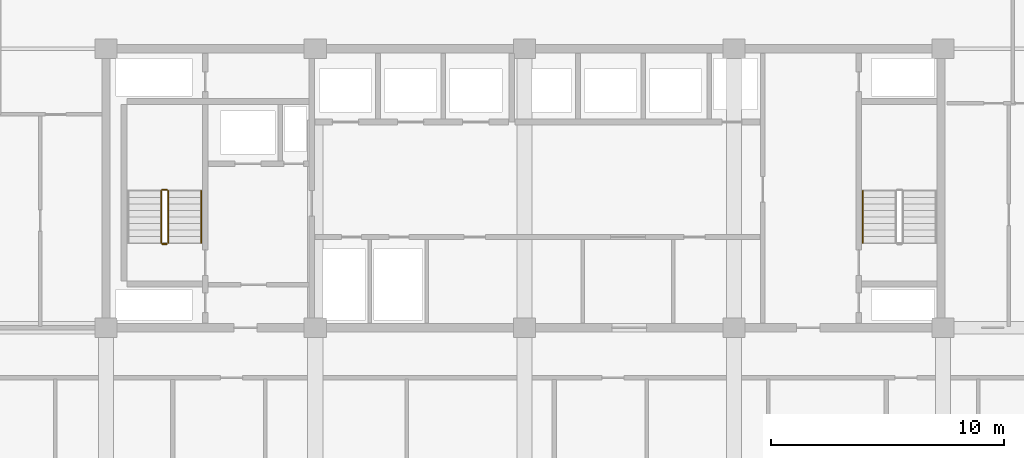
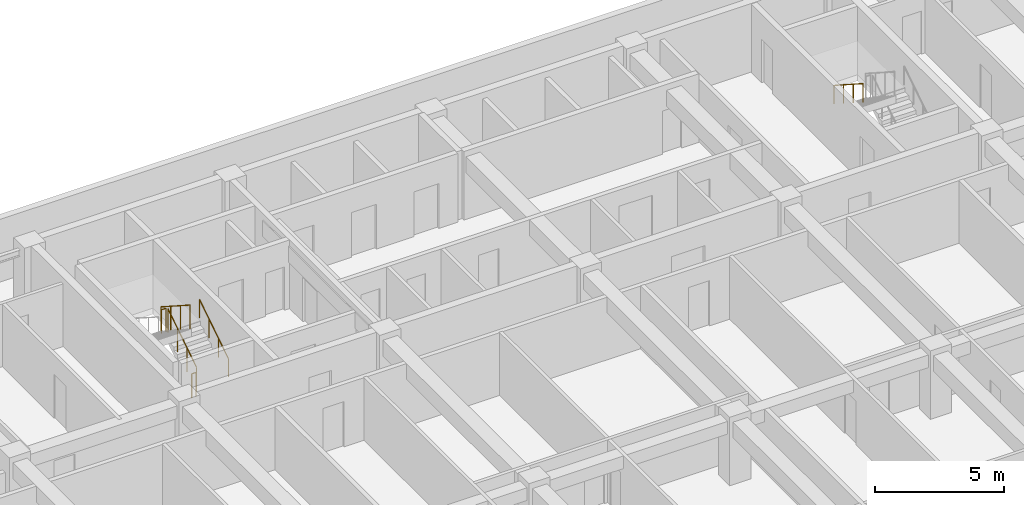
# One storey, part 20 of 23: 6 railings.
"""IFC4 building model written with IfcOpenShell, lengths in metres."""

from ifc_helpers import new_model, si_unit, direction, frame, origin, origin_2d, place, context, subcontext, project, spatial, circle, extrude, material, type_object, element, save


model = new_model("IFC4")

# Units and contexts
model_context = context("Model", 3, precision=1e-05, world=origin(), true_north=direction((0.0, 1.0)))
body_context = subcontext(model_context, "Body", "Model", "MODEL_VIEW")
ifc_project = project(units=[si_unit("LENGTHUNIT", "METRE"), si_unit("AREAUNIT", "SQUARE_METRE"), si_unit("VOLUMEUNIT", "CUBIC_METRE"), si_unit("PLANEANGLEUNIT", "RADIAN"), si_unit("MASSUNIT", "GRAM", prefix="KILO")], contexts=[model_context])

# Site, building, storey
site_placement = place(None, origin())
site = spatial("IfcSite", under=ifc_project, at=site_placement, CompositionType="ELEMENT")
building_placement = place(site_placement, origin())
building = spatial("IfcBuilding", under=site, at=building_placement, Name="Korimba Cascade Residences", CompositionType="ELEMENT")
storey_placement = place(building_placement, frame((0.0, 0.0, 33.75)))
storey = spatial("IfcBuildingStorey", under=building, at=storey_placement, Name="L08", CompositionType="ELEMENT", Elevation=33.75)

# Railings
ifc_material_1 = material(Name="Painted Steel Stairwell Guardrail", Category="steel")
railing_type_1 = type_object("IfcRailingType", Name="RLG-ST-GD1150", PredefinedType="GUARDRAIL", material=ifc_material_1)
railing_1_placement = place(storey_placement, frame((84.77001953125, 22.050048828125, 0.1806640625)))
element("IfcRailing", 1, at=railing_1_placement, inside=storey, type_object=railing_type_1, Name="L08 ST-E1 stair guard 1", PredefinedType="GUARDRAIL", context=body_context, shape_type="SweptSolid", body=[
    extrude(circle(Radius=0.02392578125, at=origin_2d()), frame((0.0, 0.0, 1.1259765625), z_axis=(0.0, 0.840436612492, 0.541909863706), x_axis=(-1.0, 0.0, 0.0)), (0.0, 0.0, 1.0), 2.665283203125),
    extrude(circle(Radius=0.02099609375, at=origin_2d()), origin(), (0.0, 0.0, 1.0), 1.101806640625),
    extrude(circle(Radius=0.02099609375, at=origin_2d()), frame((0.0, 0.74658203125, 0.4814453125)), (0.0, 0.0, 1.0), 1.101806640625),
    extrude(circle(Radius=0.02099609375, at=origin_2d()), frame((0.0, 1.493408203125, 0.962890625)), (0.0, 0.0, 1.0), 1.101806640625),
    extrude(circle(Radius=0.02099609375, at=origin_2d()), frame((0.0, 2.239990234375, 1.4443359375)), (0.0, 0.0, 1.0), 1.101806640625),
])
railing_2_placement = place(storey_placement, frame((84.719970703125, 24.340087890625, 1.625)))
element("IfcRailing", 2, at=railing_2_placement, inside=storey, type_object=railing_type_1, Name="L08 ST-E1 stair guard 2", PredefinedType="GUARDRAIL", context=body_context, shape_type="SweptSolid", body=[
    extrude(circle(Radius=0.02392578125, at=origin_2d()), frame((0.0, 0.0, 1.1259765625), z_axis=(-1.0, 0.0, 0.0), x_axis=(0.0, -1.0, 0.0)), (0.0, 0.0, 1.0), 0.199951171875),
    extrude(circle(Radius=0.02099609375, at=origin_2d()), origin(), (0.0, 0.0, 1.0), 1.101806640625),
    extrude(circle(Radius=0.02099609375, at=origin_2d()), frame((-0.199951171875, 0.0, 0.0)), (0.0, 0.0, 1.0), 1.101806640625),
])
railing_3_placement = place(storey_placement, frame((84.469970703125, 24.2900390625, 1.8056640625)))
element("IfcRailing", 3, at=railing_3_placement, inside=storey, type_object=railing_type_1, Name="L08 ST-E1 stair guard 3", PredefinedType="GUARDRAIL", context=body_context, shape_type="SweptSolid", body=[
    extrude(circle(Radius=0.02392578125, at=origin_2d()), frame((0.0, 0.0, 1.1259765625), z_axis=(0.0, -0.840436612492, 0.541909863706), x_axis=(1.0, 0.0, 0.0)), (0.0, 0.0, 1.0), 2.665283203125),
    extrude(circle(Radius=0.02099609375, at=origin_2d()), origin(), (0.0, 0.0, 1.0), 1.101806640625),
    extrude(circle(Radius=0.02099609375, at=origin_2d()), frame((0.0, -0.74658203125, 0.4814453125)), (0.0, 0.0, 1.0), 1.101806640625),
    extrude(circle(Radius=0.02099609375, at=origin_2d()), frame((0.0, -1.493408203125, 0.962890625)), (0.0, 0.0, 1.0), 1.101806640625),
    extrude(circle(Radius=0.02099609375, at=origin_2d()), frame((0.0, -2.239990234375, 1.4443359375)), (0.0, 0.0, 1.0), 1.101806640625),
])
railing_4_placement = place(storey_placement, frame((84.719970703125, 22.0, 0.0)))
element("IfcRailing", 4, at=railing_4_placement, inside=storey, type_object=railing_type_1, Name="L08 ST-E1 stair guard 4", PredefinedType="GUARDRAIL", context=body_context, shape_type="SweptSolid", body=[
    extrude(circle(Radius=0.02392578125, at=origin_2d()), frame((0.0, 0.0, 1.1259765625), z_axis=(-1.0, 0.0, 0.0), x_axis=(0.0, -1.0, 0.0)), (0.0, 0.0, 1.0), 0.199951171875),
    extrude(circle(Radius=0.02099609375, at=origin_2d()), origin(), (0.0, 0.0, 1.0), 1.101806640625),
    extrude(circle(Radius=0.02099609375, at=origin_2d()), frame((-0.199951171875, 0.0, 0.0)), (0.0, 0.0, 1.0), 1.101806640625),
])
ifc_material_2 = material(Name="Brushed Stainless Steel Handrail", Category="steel")
railing_type_2 = type_object("IfcRailingType", Name="RLG-ST-HR900", PredefinedType="HANDRAIL", material=ifc_material_2)
railing_5_placement = place(storey_placement, frame((86.18994140625, 22.050048828125, 0.364990234375)))
element("IfcRailing", 5, at=railing_5_placement, inside=storey, type_object=railing_type_2, Name="L08 ST-E1 stair handrail 1", PredefinedType="HANDRAIL", context=body_context, shape_type="SweptSolid", body=[
    extrude(circle(Radius=0.02392578125, at=origin_2d()), frame((0.0, 0.0, 0.8759765625), z_axis=(0.0, 0.840436612492, 0.541909863706), x_axis=(-1.0, 0.0, 0.0)), (0.0, 0.0, 1.0), 2.665283203125),
    extrude(circle(Radius=0.02099609375, at=origin_2d()), origin(), (0.0, 0.0, 1.0), 0.851806640625),
    extrude(circle(Radius=0.02099609375, at=origin_2d()), frame((0.0, 0.74658203125, 0.4814453125)), (0.0, 0.0, 1.0), 0.851806640625),
    extrude(circle(Radius=0.02099609375, at=origin_2d()), frame((0.0, 1.493408203125, 0.962890625)), (0.0, 0.0, 1.0), 0.851806640625),
    extrude(circle(Radius=0.02099609375, at=origin_2d()), frame((0.0, 2.239990234375, 1.4443359375)), (0.0, 0.0, 1.0), 0.851806640625),
])
railing_6_placement = place(storey_placement, frame((114.64990234375, 24.2900390625, 1.989990234375)))
element("IfcRailing", 6, at=railing_6_placement, inside=storey, type_object=railing_type_2, Name="L08 ST-E2 stair handrail 2", PredefinedType="HANDRAIL", context=body_context, shape_type="SweptSolid", body=[
    extrude(circle(Radius=0.02392578125, at=origin_2d()), frame((0.0, 0.0, 0.8759765625), z_axis=(0.0, -0.840436612492, 0.541909863706), x_axis=(1.0, 0.0, 0.0)), (0.0, 0.0, 1.0), 2.665283203125),
    extrude(circle(Radius=0.02099609375, at=origin_2d()), origin(), (0.0, 0.0, 1.0), 0.851806640625),
    extrude(circle(Radius=0.02099609375, at=origin_2d()), frame((0.0, -0.74658203125, 0.4814453125)), (0.0, 0.0, 1.0), 0.851806640625),
    extrude(circle(Radius=0.02099609375, at=origin_2d()), frame((0.0, -1.493408203125, 0.962890625)), (0.0, 0.0, 1.0), 0.851806640625),
    extrude(circle(Radius=0.02099609375, at=origin_2d()), frame((0.0, -2.239990234375, 1.4443359375)), (0.0, 0.0, 1.0), 0.851806640625),
])

save(model, "model.ifc")
